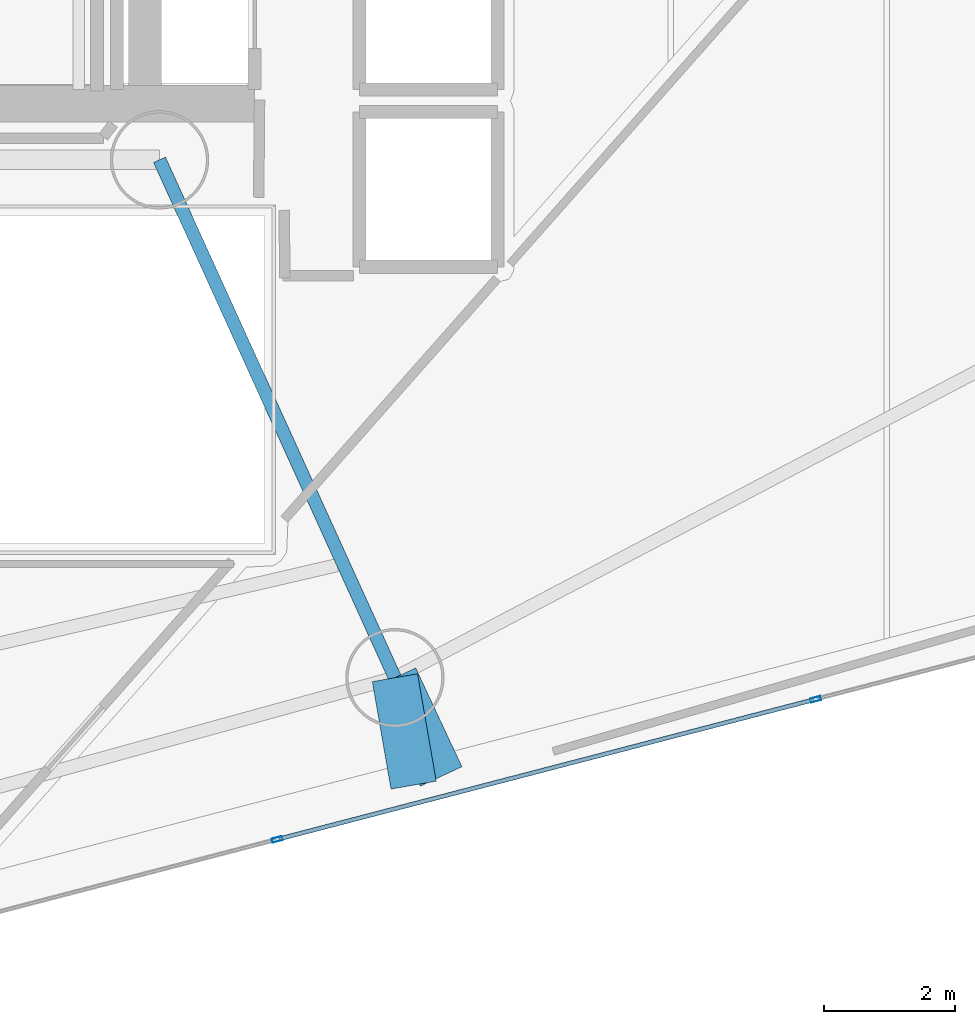
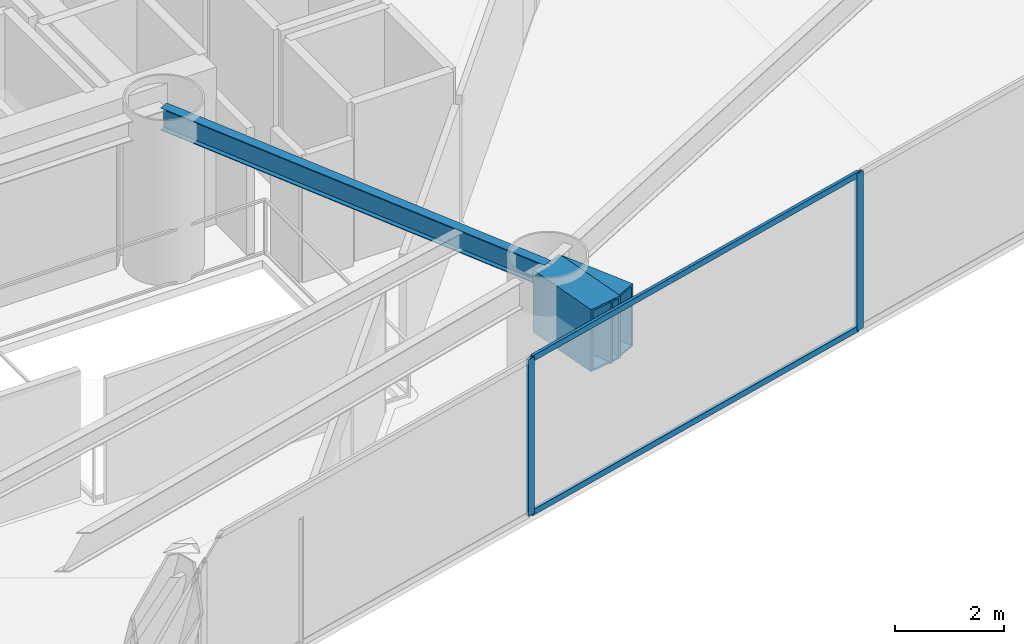
# One storey, part 6 of 21: 4 members, 3 beams, 1 element without a shape of its own.
"""IFC4 building model written with IfcOpenShell, lengths in metres."""

from ifc_helpers import new_model, si_unit, direction, frame, origin, origin_2d, place, context, subcontext, project, spatial, hollow_rectangle, i_section, extrude, material, layer, layer_set, material_profile, profile_set, type_object, element, aggregate, save


model = new_model("IFC4")

# Units and contexts
model_context = context("Model", 3, precision=1e-05, world=origin(), true_north=direction((0.0, 1.0)))
body_context = subcontext(model_context, "Body", "Model", "MODEL_VIEW")
ifc_project = project(units=[si_unit("LENGTHUNIT", "METRE"), si_unit("AREAUNIT", "SQUARE_METRE"), si_unit("VOLUMEUNIT", "CUBIC_METRE"), si_unit("PLANEANGLEUNIT", "RADIAN"), si_unit("MASSUNIT", "GRAM", prefix="KILO")], contexts=[model_context])

# Site, building, storey
site_placement = place(None, origin())
site = spatial("IfcSite", under=ifc_project, at=site_placement, CompositionType="ELEMENT")
building_placement = place(site_placement, origin())
building = spatial("IfcBuilding", under=site, at=building_placement, Name="Qianvela Tower", CompositionType="ELEMENT")
storey_placement = place(building_placement, frame((0.0, 0.0, 112.60009765625)))
storey = spatial("IfcBuildingStorey", under=building, at=storey_placement, Name="L28", CompositionType="ELEMENT", Elevation=112.60009765625)

# Beams
ifc_material_1 = material(Name="Steel Q355B", Category="steel")
ifc_material_profile_1 = material_profile(ifc_material_1, i_section(OverallWidth=0.199951171875, OverallDepth=0.5, WebThickness=0.010009765625, FlangeThickness=0.01611328125, at=origin_2d()), Name="HN500x200x10x16")
ifc_profile_set_1 = profile_set([ifc_material_profile_1], Name="Steel Q355B")
beam_type_1 = type_object("IfcBeamType", Name="BM-HN500-GIRD", PredefinedType="BEAM", material=ifc_profile_set_1)
beam_placement = place(storey_placement, frame((38.39990234375, 23.85009765625, 3.267822265625), z_axis=(0.413839009437, -0.910350083357, 0.0), x_axis=(0.910350083357, 0.413839009437, 0.0)))
element("IfcBeam", 1, at=beam_placement, inside=storey, type_object=beam_type_1, Name="L28 Radial Primary Floor Girder 6", PredefinedType="BEAM", context=body_context, shape_type="SweptSolid", body=[
    extrude(i_section(OverallWidth=0.199951171875, OverallDepth=0.5, WebThickness=0.010009765625, FlangeThickness=0.01611328125, at=origin_2d()), origin(), (0.0, 0.0, 1.0), 8.67041015625),
])
ifc_material_2 = material(Name="Steel Q420GJC", Category="steel")
ifc_material_profile_2 = material_profile(ifc_material_2, hollow_rectangle(XDim=0.699951171875, YDim=1.39990234375, WallThickness=0.0400390625, at=origin_2d()), Name="TG-BOX-1400x700x40")
ifc_profile_set_2 = profile_set([ifc_material_profile_2], Name="Steel Q420GJC")
beam_type_2 = type_object("IfcBeamType", Name="BM-TG-STEP-1400", PredefinedType="BEAM", material=ifc_profile_set_2)
for number, where, z_axis, x_axis, name in (
    (2, (41.988037109375, 15.95703125, 2.81494140625), (0.171303973898, -0.98521822381, 0.0), (0.98521822381, 0.171303973898, 0.0), "L28 Mega-Brace Zone Base Bracket F3-1"),
    (3, (41.988037109375, 15.95703125, 2.81494140625), (0.423850361855, -0.905732229059, 0.0), (0.905732229059, 0.423850361855, 0.0), "L28 Mega-Brace Zone Base Bracket F3-2"),
):
    element("IfcBeam", number, at=place(storey_placement, frame(where, z_axis=z_axis, x_axis=x_axis)), inside=storey, type_object=beam_type_2, Name=name, PredefinedType="BEAM", context=body_context, shape_type="SweptSolid", body=[
        extrude(hollow_rectangle(XDim=0.699951171875, YDim=1.39990234375, WallThickness=0.0400390625, at=origin_2d()), origin(), (0.0, 0.0, 1.0), 1.661865234375),
    ])

# Curtain wall, members
ifc_material_3 = material(Name="Anodised Architectural Aluminium and Low-E Glass", Category="aluminium")
ifc_layer = layer(ifc_material_3, 0.169921875)
ifc_layer_set = layer_set([ifc_layer], Name="Anodised Architectural Aluminium and Low-E Glass")
curtain_wall_type = type_object("IfcCurtainWallType", Name="CW-COLIV-Z34", PredefinedType="USERDEFINED", material=ifc_layer_set)
curtain_wall_placement = place(storey_placement, origin())
curtain_wall = element("IfcCurtainWall", 4, at=curtain_wall_placement, inside=storey, type_object=curtain_wall_type, Name="L28 CW-COLIV-Z34 Curtain Wall 06B", ObjectType="CURTAIN_WALL_SYSTEM", PredefinedType="USERDEFINED")
ifc_material_4 = material(Name="Anodised Architectural Aluminium 6063-T6", Category="aluminium")
ifc_material_profile_3 = material_profile(ifc_material_4, hollow_rectangle(XDim=0.06494140625, YDim=0.159912109375, WallThickness=0.0048828125, at=origin_2d()), Name="ALU-MULL-65x160")
ifc_profile_set_3 = profile_set([ifc_material_profile_3], Name="Anodised Architectural Aluminium 6063-T6")
member_type_1 = type_object("IfcMemberType", Name="CW-COLIV-Z34-MULL", PredefinedType="MULLION", material=ifc_profile_set_3)
member_1_placement = place(storey_placement, frame((40.192626953125, 13.491455078125, 0.0), z_axis=(0.0, 0.0, 1.0), x_axis=(-0.25195021381, 0.96774019745, 0.0)))
member_1 = element("IfcMember", 5, at=member_1_placement, type_object=member_type_1, Name="CW-4 mullion 2", PredefinedType="MULLION", context=body_context, shape_type="SweptSolid", body=[
    extrude(hollow_rectangle(XDim=0.06494140625, YDim=0.159912109375, WallThickness=0.0048828125, at=origin_2d()), origin(), (0.0, 0.0, 1.0), 3.52001953125),
])
member_2_placement = place(storey_placement, frame((48.400390625, 15.62841796875, 0.0), z_axis=(0.0, 0.0, 1.0), x_axis=(-0.25195021381, 0.96774019745, 0.0)))
member_2 = element("IfcMember", 6, at=member_2_placement, type_object=member_type_1, Name="CW-4 mullion 3", PredefinedType="MULLION", context=body_context, shape_type="SweptSolid", body=[
    extrude(hollow_rectangle(XDim=0.06494140625, YDim=0.159912109375, WallThickness=0.0048828125, at=origin_2d()), origin(), (0.0, 0.0, 1.0), 3.52001953125),
])
ifc_material_5 = material(Name="Anodised Architectural Aluminium 6063-T6", Category="aluminium")
ifc_material_profile_4 = material_profile(ifc_material_5, hollow_rectangle(XDim=0.06494140625, YDim=0.1298828125, WallThickness=0.00439453125, at=origin_2d()), Name="ALU-TRAN-65x130")
ifc_profile_set_4 = profile_set([ifc_material_profile_4], Name="Anodised Architectural Aluminium 6063-T6")
member_type_2 = type_object("IfcMemberType", Name="CW-COLIV-Z34-TRAN", PredefinedType="USERDEFINED", material=ifc_profile_set_4)
member_3_placement = place(storey_placement, frame((40.22412109375, 13.499755859375, 0.032470703125), z_axis=(0.967743760078, 0.251936529369, 0.0), x_axis=(-0.251936529369, 0.967743760078, 0.0)))
member_3 = element("IfcMember", 7, at=member_3_placement, type_object=member_type_2, Name="CW-4 transom 2.1", ObjectType="TRANSOM", PredefinedType="USERDEFINED", context=body_context, shape_type="SweptSolid", body=[
    extrude(hollow_rectangle(XDim=0.06494140625, YDim=0.1298828125, WallThickness=0.00439453125, at=origin_2d()), origin(), (0.0, 0.0, 1.0), 8.416259765625),
])
member_4_placement = place(storey_placement, frame((40.22412109375, 13.499755859375, 3.4873046875), z_axis=(0.967743760078, 0.251936529369, 0.0), x_axis=(-0.251936529369, 0.967743760078, 0.0)))
member_4 = element("IfcMember", 8, at=member_4_placement, type_object=member_type_2, Name="CW-4 transom 2.2", ObjectType="TRANSOM", PredefinedType="USERDEFINED", context=body_context, shape_type="SweptSolid", body=[
    extrude(hollow_rectangle(XDim=0.06494140625, YDim=0.1298828125, WallThickness=0.00439453125, at=origin_2d()), origin(), (0.0, 0.0, 1.0), 8.416259765625),
])
aggregate(curtain_wall, [member_1, member_2, member_3, member_4])

save(model, "model.ifc")
